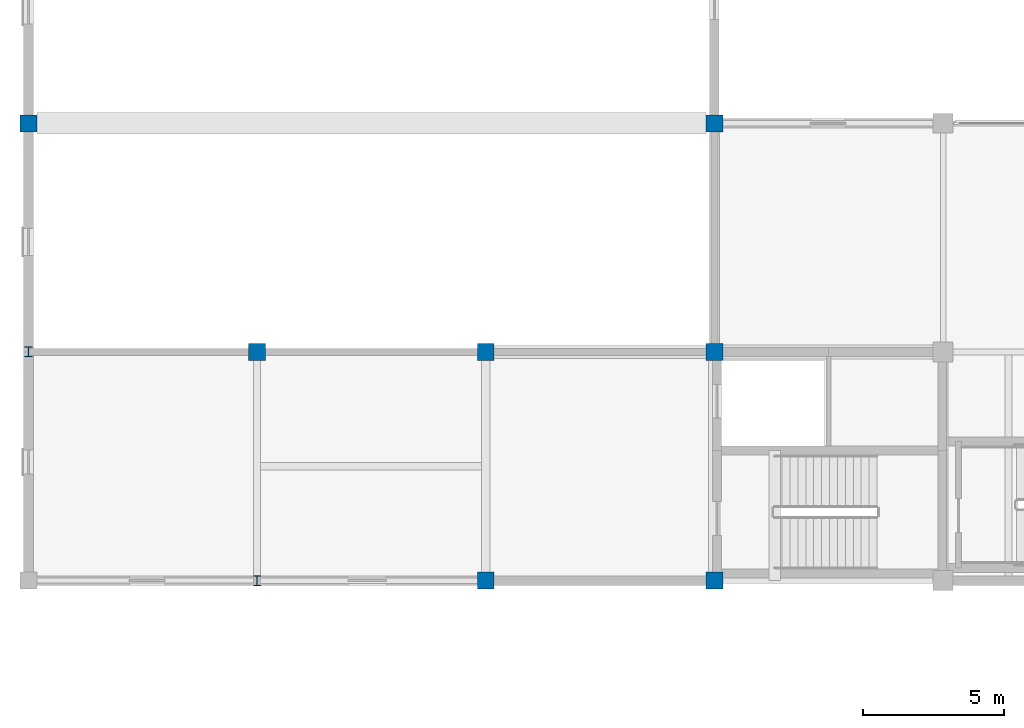
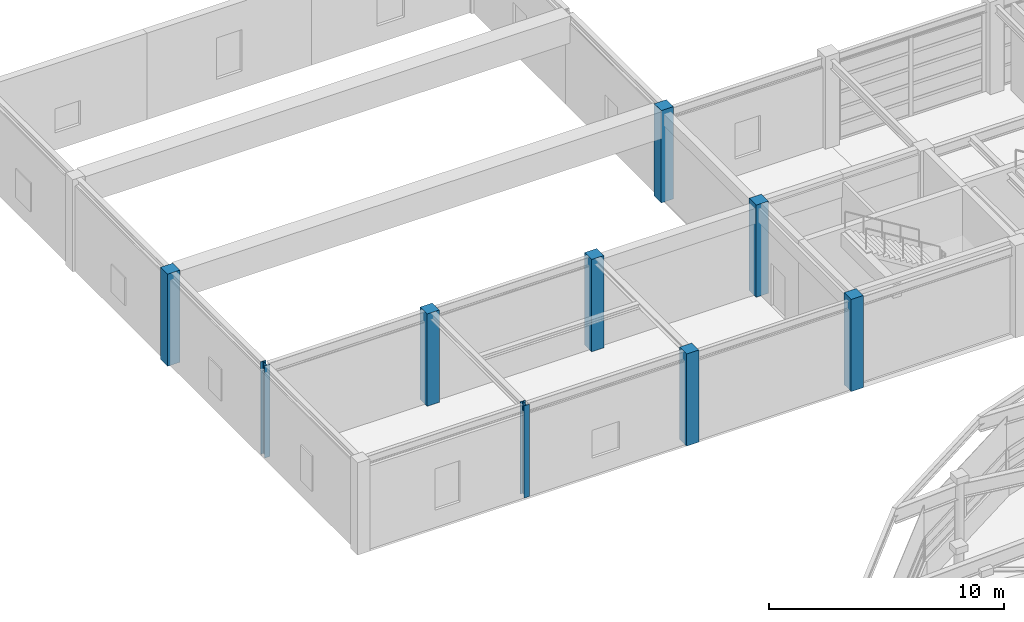
# One storey, part 8 of 58: 9 columns.
"""IFC4 building model written with IfcOpenShell, lengths in metres."""

from ifc_helpers import new_model, si_unit, direction, frame, origin, origin_2d, place, context, subcontext, project, spatial, rectangle, i_section, extrude, material, material_profile, profile_set, type_object, element, save


model = new_model("IFC4")

# Units and contexts
model_context = context("Model", 3, precision=1e-05, world=origin(), true_north=direction((0.0, 1.0)))
body_context = subcontext(model_context, "Body", "Model", "MODEL_VIEW")
ifc_project = project(units=[si_unit("LENGTHUNIT", "METRE"), si_unit("AREAUNIT", "SQUARE_METRE"), si_unit("VOLUMEUNIT", "CUBIC_METRE"), si_unit("PLANEANGLEUNIT", "RADIAN"), si_unit("MASSUNIT", "GRAM", prefix="KILO")], contexts=[model_context])

# Site, building, storey
site_placement = place(None, origin())
site = spatial("IfcSite", under=ifc_project, at=site_placement, CompositionType="ELEMENT")
building_placement = place(site_placement, origin())
building = spatial("IfcBuilding", under=site, at=building_placement, Name="Parian Resonance Hall", CompositionType="ELEMENT")
storey_placement = place(building_placement, frame((0.0, 0.0, 10.199951171875)))
storey = spatial("IfcBuildingStorey", under=building, at=storey_placement, Name="L02", CompositionType="ELEMENT", Elevation=10.199951171875)

# Columns
ifc_material_1 = material(Name="Concrete C40/50", Category="concrete")
ifc_material_profile_1 = material_profile(ifc_material_1, rectangle(XDim=0.60009765625, YDim=0.60009765625, at=origin_2d()), Name="RC-COL-600x600")
ifc_profile_set_1 = profile_set([ifc_material_profile_1], Name="Concrete C40/50")
column_type_1 = type_object("IfcColumnType", Name="COL-RC600", PredefinedType="COLUMN", material=ifc_profile_set_1)
for number, where, z_axis, x_axis, name in (
    (1, (0.0, 89.10009765625, 0.0), (0.0, 0.0, 1.0), (1.0, 0.0, 0.0), "Column G01-12 L02"),
    (2, (8.10009765625, 81.0, 0.0), (0.0, 0.0, 1.0), (1.0, 0.0, 0.0), "Column G02-11 L02"),
    (3, (16.199951171875, 72.89990234375, 0.0), (0.0, 0.0, 1.0), (1.0, 0.0, 0.0), "Column G03-10 L02"),
    (4, (16.199951171875, 81.0, 0.0), (0.0, 0.0, 1.0), (1.0, 0.0, 0.0), "Column G03-11 L02"),
    (5, (24.300048828125, 72.89990234375, 0.0), (0.0, 0.0, 1.0), (1.0, 0.0, 0.0), "Column G04-10 L02"),
    (6, (24.300048828125, 81.0, 0.0), (0.0, 0.0, 1.0), (1.0, 0.0, 0.0), "Column G04-11 L02"),
    (7, (24.300048828125, 89.10009765625, 0.0), (0.0, 0.0, 1.0), (1.0, 0.0, 0.0), "Column G04-12 L02"),
):
    element("IfcColumn", number, at=place(storey_placement, frame(where, z_axis=z_axis, x_axis=x_axis)), inside=storey, type_object=column_type_1, Name=name, PredefinedType="COLUMN", context=body_context, shape_type="SweptSolid", body=[
        extrude(rectangle(XDim=0.60009765625, YDim=0.60009765625, at=origin_2d()), origin(), (0.0, 0.0, 1.0), 4.800048828125),
    ])
ifc_material_2 = material(Name="Steel S355", Category="steel")
ifc_material_profile_2 = material_profile(ifc_material_2, i_section(OverallWidth=0.2548828125, OverallDepth=0.35693359375, WebThickness=0.010498046875, FlangeThickness=0.018310546875, FilletRadius=0.01513671875, at=origin_2d()), Name="W360x101")
ifc_profile_set_2 = profile_set([ifc_material_profile_2], Name="Steel S355")
column_type_2 = type_object("IfcColumnType", Name="COL-W360", PredefinedType="COLUMN", material=ifc_profile_set_2)
for number, where, z_axis, x_axis, name in (
    (8, (0.0, 81.0, 0.0), (0.0, 0.0, 1.0), (1.0, 0.0, 0.0), "Column G01-11 L02"),
    (9, (8.10009765625, 72.89990234375, 0.0), (0.0, 0.0, 1.0), (1.0, 0.0, 0.0), "Column G02-10 L02"),
):
    element("IfcColumn", number, at=place(storey_placement, frame(where, z_axis=z_axis, x_axis=x_axis)), inside=storey, type_object=column_type_2, Name=name, PredefinedType="COLUMN", context=body_context, shape_type="SweptSolid", body=[
        extrude(i_section(OverallWidth=0.2548828125, OverallDepth=0.35693359375, WebThickness=0.010498046875, FlangeThickness=0.018310546875, FilletRadius=0.01513671875, at=origin_2d()), origin(), (0.0, 0.0, 1.0), 4.800048828125),
    ])

save(model, "model.ifc")
